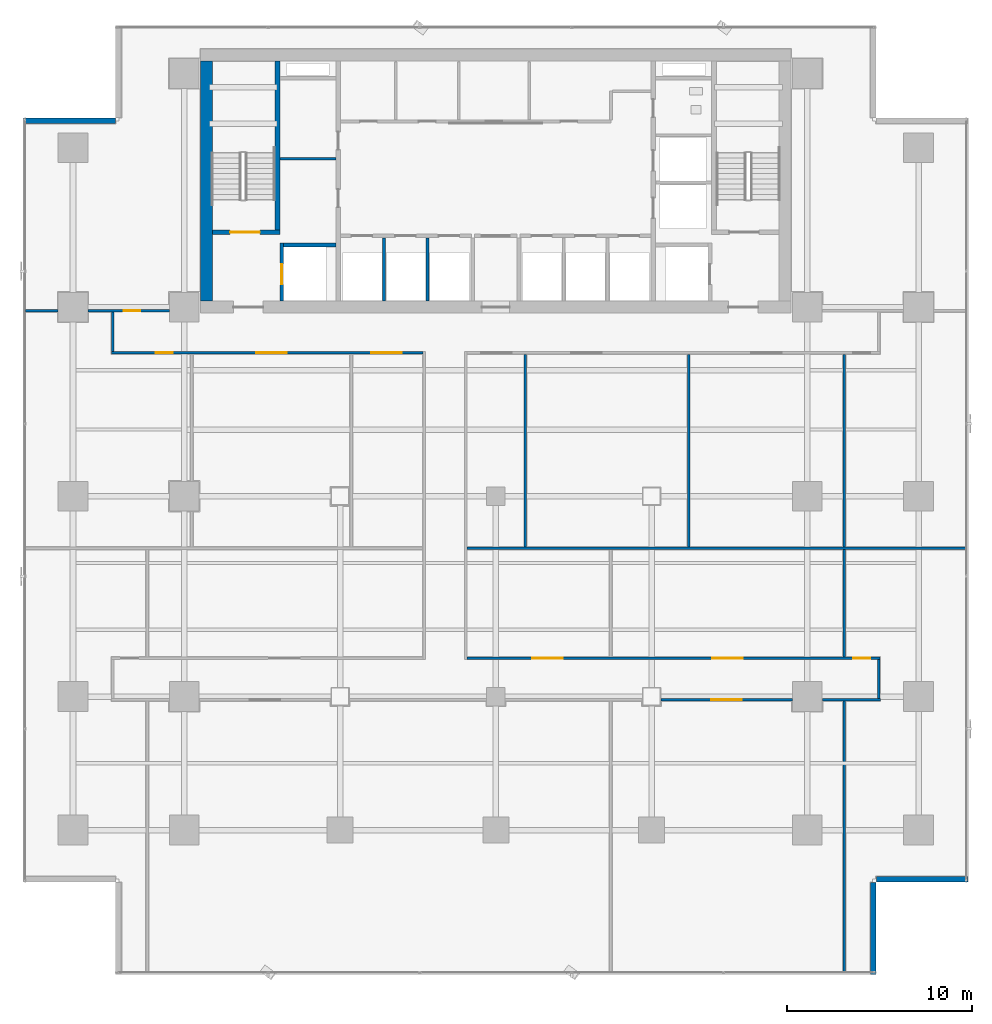
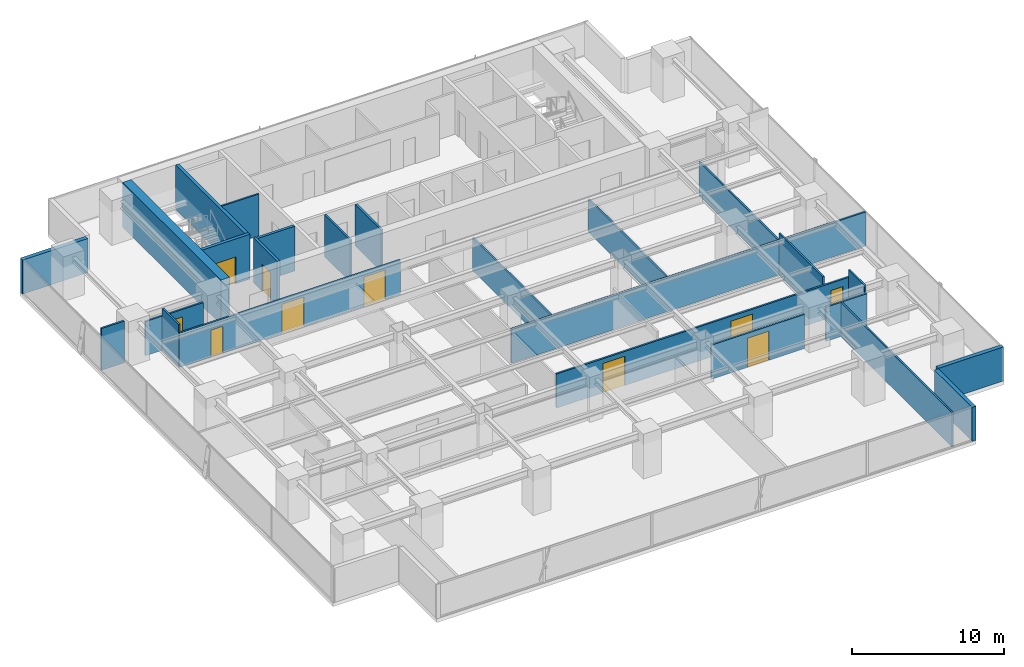
# One storey, part 28 of 36: 25 walls, 10 doors, 10 openings.
"""IFC4 building model written with IfcOpenShell, lengths in metres."""

from ifc_helpers import new_model, si_unit, direction, frame, frame_2d, origin, place, context, subcontext, project, spatial, rectangle, extrude, source, transform, mapped, material, layer, layer_set, type_object, element, fill, save


model = new_model("IFC4")

# Units and contexts
model_context = context("Model", 3, precision=1e-05, world=origin(), true_north=direction((0.0, 1.0)))
body_context = subcontext(model_context, "Body", "Model", "MODEL_VIEW")
ifc_project = project(units=[si_unit("LENGTHUNIT", "METRE"), si_unit("AREAUNIT", "SQUARE_METRE"), si_unit("VOLUMEUNIT", "CUBIC_METRE"), si_unit("PLANEANGLEUNIT", "RADIAN"), si_unit("MASSUNIT", "GRAM", prefix="KILO")], contexts=[model_context])

# Site, building, storey
site_placement = place(None, origin())
site = spatial("IfcSite", under=ifc_project, at=site_placement, CompositionType="ELEMENT")
building_placement = place(site_placement, origin())
building = spatial("IfcBuilding", under=site, at=building_placement, Name="Sumidabori Civic Tower", CompositionType="ELEMENT")
storey_placement = place(building_placement, frame((0.0, 0.0, 77.60009765625)))
storey = spatial("IfcBuildingStorey", under=building, at=storey_placement, Name="L19", CompositionType="ELEMENT", Elevation=77.60009765625)

# Walls
ifc_material_1 = material(Name="Concrete C50/60", Category="concrete")
ifc_layer_1 = layer(ifc_material_1, 0.199951171875, Name="Concrete C50/60")
ifc_layer_set_1 = layer_set([ifc_layer_1], Name="Concrete C50/60")
wall_type_1 = type_object("IfcWallType", Name="WL-SHAFT-200", PredefinedType="SHEAR", material=ifc_layer_set_1)
shared_shape_1 = source(origin(), body_context, "Body", "SweptSolid", [
    extrude(rectangle(XDim=2.824951171875, YDim=0.199951171875, at=frame_2d((1.41259765625, 0.0))), origin(), (0.0, 0.0, 1.0), 3.599853515625),
])
wall_1_placement = place(storey_placement, frame((-11.449951171875, 13.550048828125, 0.0), z_axis=(0.0, 0.0, 1.0), x_axis=(1.0, 0.0, 0.0)))
element("IfcWall", 1, at=wall_1_placement, inside=storey, type_object=wall_type_1, Name="Core Shear Wall L19 EL1-N", PredefinedType="SHEAR", context=body_context, shape_type="MappedRepresentation", body=[
    mapped(shared_shape_1, transform((0.0, 0.0, 0.0), x_axis=(1.0, 0.0, 0.0), y_axis=(0.0, 1.0, 0.0), z_axis=(0.0, 0.0, 1.0), scale=1.0)),
])
ifc_material_2 = material(Name="Concrete C60/75", Category="concrete")
ifc_layer_2 = layer(ifc_material_2, 0.64990234375, Name="Concrete C60/75")
ifc_layer_set_2 = layer_set([ifc_layer_2], Name="Concrete C60/75")
wall_type_2 = type_object("IfcWallType", Name="WL-CORE-650", PredefinedType="SHEAR", material=ifc_layer_set_2)
shared_shape_2 = source(origin(), body_context, "Body", "SweptSolid", [
    extrude(rectangle(XDim=12.9501953125, YDim=0.64990234375, at=frame_2d((6.47509765625, 0.0))), origin(), (0.0, 0.0, 1.0), 3.599853515625),
])
wall_2_placement = place(storey_placement, frame((-15.60009765625, 10.52490234375, 0.0), z_axis=(0.0, 0.0, 1.0), x_axis=(0.0, 1.0, 0.0)))
element("IfcWall", 2, at=wall_2_placement, inside=storey, type_object=wall_type_2, Name="Core Shear Wall L19 W", PredefinedType="SHEAR", context=body_context, shape_type="MappedRepresentation", body=[
    mapped(shared_shape_2, transform((0.0, 0.0, 0.0), x_axis=(1.0, 0.0, 0.0), y_axis=(0.0, 1.0, 0.0), z_axis=(0.0, 0.0, 1.0), scale=1.0)),
])

# Wall, opening, door
ifc_layer_3 = layer(ifc_material_1, 0.25, Name="Concrete C50/60")
ifc_layer_set_3 = layer_set([ifc_layer_3], Name="Concrete C50/60")
wall_type_3 = type_object("IfcWallType", Name="WL-SHAFT-250", PredefinedType="SHEAR", material=ifc_layer_set_3)
shared_shape_3 = source(origin(), body_context, "Body", "SweptSolid", [
    extrude(rectangle(XDim=3.6298828125, YDim=0.25, at=frame_2d((1.81494140625, 0.0))), origin(), (0.0, 0.0, 1.0), 3.599853515625),
])
wall_3_placement = place(storey_placement, frame((-15.27490234375, 14.25, 0.0), z_axis=(0.0, 0.0, 1.0), x_axis=(1.0, 0.0, 0.0)))
wall_3 = element("IfcWall", 3, at=wall_3_placement, inside=storey, type_object=wall_type_3, Name="Core Shear Wall L19 ST1-S", PredefinedType="SHEAR", context=body_context, shape_type="MappedRepresentation", body=[
    mapped(shared_shape_3, transform((0.0, 0.0, 0.0), x_axis=(1.0, 0.0, 0.0), y_axis=(0.0, 1.0, 0.0), z_axis=(0.0, 0.0, 1.0), scale=1.0)),
])
opening_1_placement = place(wall_3_placement, frame((0.949951171875, 0.0, 0.0)))
opening_1 = element("IfcOpeningElement", 4, at=opening_1_placement, cuts=wall_3, Name="Opening DR-FD4", PredefinedType="OPENING", context=body_context, shape_type="SweptSolid", body=[
    extrude(rectangle(XDim=1.60009765625, YDim=2.14990234375, at=frame_2d((0.800048828125, 1.074951171875))), frame((0.0, 0.136962890625, 0.0), z_axis=(0.0, -1.0, 0.0), x_axis=(1.0, 0.0, 0.0)), (0.0, 0.0, 1.0), 0.27392578125),
])
ifc_material_3 = material(Name="Steel SN490", Category="steel")
door_type_1 = type_object("IfcDoorType", Name="DR-FD4", OperationType="DOUBLE_DOOR_SINGLE_SWING", PredefinedType="DOOR", material=ifc_material_3)
shared_shape_4 = source(origin(), body_context, "Body", "SweptSolid", [
    extrude(rectangle(XDim=1.60009765625, YDim=2.14990234375, at=frame_2d((0.800048828125, 1.074951171875))), frame((0.0, 0.02490234375, 0.0), z_axis=(0.0, -1.0, 0.0), x_axis=(1.0, 0.0, 0.0)), (0.0, 0.0, 1.0), 0.050048828125),
])
door_1_placement = place(opening_1_placement, origin())
door_1 = element("IfcDoor", 5, at=door_1_placement, inside=storey, type_object=door_type_1, Name="Door DR:L19:ST1", OperationType="DOUBLE_DOOR_SINGLE_SWING", OverallHeight=2.14990234375, OverallWidth=1.60009765625, PredefinedType="DOOR", context=body_context, shape_type="MappedRepresentation", body=[
    mapped(shared_shape_4, transform((0.0, 0.0, 0.0), x_axis=(1.0, 0.0, 0.0), y_axis=(0.0, 1.0, 0.0), z_axis=(0.0, 0.0, 1.0), scale=1.0)),
])
fill(opening_1, door_1)

# Wall
shared_shape_5 = source(origin(), body_context, "Body", "SweptSolid", [
    extrude(rectangle(XDim=9.10009765625, YDim=0.25, at=frame_2d((4.550048828125, 0.0))), origin(), (0.0, 0.0, 1.0), 3.599853515625),
])
wall_4_placement = place(storey_placement, frame((-11.77001953125, 14.375, 0.0), z_axis=(0.0, 0.0, 1.0), x_axis=(0.0, 1.0, 0.0)))
element("IfcWall", 6, at=wall_4_placement, inside=storey, type_object=wall_type_3, Name="Core Shear Wall L19 ST1-E", PredefinedType="SHEAR", context=body_context, shape_type="MappedRepresentation", body=[
    mapped(shared_shape_5, transform((0.0, 0.0, 0.0), x_axis=(1.0, 0.0, 0.0), y_axis=(0.0, 1.0, 0.0), z_axis=(0.0, 0.0, 1.0), scale=1.0)),
])

# Wall, opening, door
shared_shape_6 = source(origin(), body_context, "Body", "SweptSolid", [
    extrude(rectangle(XDim=3.125, YDim=0.199951171875, at=frame_2d((1.5625, 0.0))), origin(), (0.0, 0.0, 1.0), 3.599853515625),
])
wall_5_placement = place(storey_placement, frame((-11.550048828125, 10.52490234375, 0.0), z_axis=(0.0, 0.0, 1.0), x_axis=(0.0, 1.0, 0.0)))
wall_5 = element("IfcWall", 7, at=wall_5_placement, inside=storey, type_object=wall_type_1, Name="Core Shear Wall L19 EL1-W", PredefinedType="SHEAR", context=body_context, shape_type="MappedRepresentation", body=[
    mapped(shared_shape_6, transform((0.0, 0.0, 0.0), x_axis=(1.0, 0.0, 0.0), y_axis=(0.0, 1.0, 0.0), z_axis=(0.0, 0.0, 1.0), scale=1.0)),
])
opening_2_placement = place(wall_5_placement, frame((0.89990234375, 0.0, 0.0)))
opening_2 = element("IfcOpeningElement", 8, at=opening_2_placement, cuts=wall_5, Name="Opening LD-2", PredefinedType="OPENING", context=body_context, shape_type="SweptSolid", body=[
    extrude(rectangle(XDim=1.10009765625, YDim=2.14990234375, at=frame_2d((0.550048828125, 1.074951171875))), frame((0.0, 0.11181640625, 0.0), z_axis=(0.0, -1.0, 0.0), x_axis=(1.0, 0.0, 0.0)), (0.0, 0.0, 1.0), 0.223876953125),
])
ifc_material_4 = material(Name="Stainless Steel Hairline Finish", Category="steel")
door_type_2 = type_object("IfcDoorType", Name="DR-LD2", OperationType="DOUBLE_DOOR_SLIDING", PredefinedType="DOOR", material=ifc_material_4)
shared_shape_7 = source(origin(), body_context, "Body", "SweptSolid", [
    extrude(rectangle(XDim=1.10009765625, YDim=2.14990234375, at=frame_2d((0.550048828125, 1.074951171875))), frame((0.0, 0.02490234375, 0.0), z_axis=(0.0, -1.0, 0.0), x_axis=(1.0, 0.0, 0.0)), (0.0, 0.0, 1.0), 0.050048828125),
])
door_2_placement = place(opening_2_placement, origin())
door_2 = element("IfcDoor", 9, at=door_2_placement, inside=storey, type_object=door_type_2, Name="Door DR:L19:LD-EL1", OperationType="DOUBLE_DOOR_SLIDING", OverallHeight=2.14990234375, OverallWidth=1.10009765625, PredefinedType="DOOR", context=body_context, shape_type="MappedRepresentation", body=[
    mapped(shared_shape_7, transform((0.0, 0.0, 0.0), x_axis=(1.0, 0.0, 0.0), y_axis=(0.0, 1.0, 0.0), z_axis=(0.0, 0.0, 1.0), scale=1.0)),
])
fill(opening_2, door_2)

# Walls
ifc_material_5 = material(Name="Precast concrete C40/50", Category="concrete")
ifc_layer_4 = layer(ifc_material_5, 0.300048828125, Name="Precast concrete C40/50")
ifc_layer_set_4 = layer_set([ifc_layer_4], Name="Precast concrete C40/50")
wall_type_4 = type_object("IfcWallType", Name="WL-EXT-POD300", PredefinedType="STANDARD", material=ifc_layer_set_4)
shared_shape_8 = source(origin(), body_context, "Body", "SweptSolid", [
    extrude(rectangle(XDim=4.9599609375, YDim=0.300048828125, at=frame_2d((2.47998046875, 0.0))), origin(), (0.0, 0.0, 1.0), 2.739990234375),
])
for number, where, z_axis, x_axis, name in (
    (10, (20.35009765625, -25.780029296875, 0.0), (0.0, 0.0, 1.0), (0.0, 1.0, 0.0), "Notched Corner Spandrel Band L19-02"),
    (11, (20.52001953125, -20.64990234375, 0.0), (0.0, 0.0, 1.0), (1.0, 0.0, 0.0), "Notched Corner Spandrel Band L19-03"),
    (12, (-20.52001953125, 20.25, 0.0), (0.0, 0.0, 1.0), (-1.0, 0.0, 0.0), "Notched Corner Spandrel Band L19-09"),
):
    element("IfcWall", number, at=place(storey_placement, frame(where, z_axis=z_axis, x_axis=x_axis)), inside=storey, type_object=wall_type_4, Name=name, PredefinedType="STANDARD", context=body_context, shape_type="MappedRepresentation", body=[
        mapped(shared_shape_8, transform((0.0, 0.0, 0.0), x_axis=(1.0, 0.0, 0.0), y_axis=(0.0, 1.0, 0.0), z_axis=(0.0, 0.0, 1.0), scale=1.0)),
    ])
ifc_material_6 = material(Name="Gypsum Plasterboard Acoustic Partition")
ifc_layer_5 = layer(ifc_material_6, 0.1201171875, Name="Gypsum Plasterboard Acoustic Partition")
ifc_layer_set_5 = layer_set([ifc_layer_5], Name="Gypsum Plasterboard Acoustic Partition")
wall_type_5 = type_object("IfcWallType", Name="WL-PART-120", PredefinedType="PARTITIONING", material=ifc_layer_set_5)
shared_shape_9 = source(origin(), body_context, "Body", "SweptSolid", [
    extrude(rectangle(XDim=3.010009765625, YDim=0.1201171875, at=frame_2d((1.5048828125, 0.0))), origin(), (0.0, 0.0, 1.0), 3.35986328125),
])
wall_6_placement = place(storey_placement, frame((-11.639892578125, 18.199951171875, 0.0), z_axis=(0.0, 0.0, 1.0), x_axis=(1.0, 0.0, 0.0)))
element("IfcWall", 13, at=wall_6_placement, inside=storey, type_object=wall_type_5, Name="Interior Partition WL:L19:CW-MID", PredefinedType="PARTITIONING", context=body_context, shape_type="MappedRepresentation", body=[
    mapped(shared_shape_9, transform((0.0, 0.0, 0.0), x_axis=(1.0, 0.0, 0.0), y_axis=(0.0, 1.0, 0.0), z_axis=(0.0, 0.0, 1.0), scale=1.0)),
])
ifc_layer_6 = layer(ifc_material_6, 0.14990234375, Name="Gypsum Plasterboard Acoustic Partition")
ifc_layer_set_6 = layer_set([ifc_layer_6], Name="Gypsum Plasterboard Acoustic Partition")
wall_type_6 = type_object("IfcWallType", Name="WL-PART-150", PredefinedType="PARTITIONING", material=ifc_layer_set_6)
shared_shape_10 = source(origin(), body_context, "Body", "SweptSolid", [
    extrude(rectangle(XDim=3.4150390625, YDim=0.14990234375, at=frame_2d((1.70751953125, 0.0))), origin(), (0.0, 0.0, 1.0), 3.35986328125),
])
for number, where, z_axis, x_axis, name in (
    (14, (-6.030029296875, 10.52490234375, 0.0), (0.0, 0.0, 1.0), (0.0, 1.0, 0.0), "Interior Partition WL:L19:DIV-PLL1"),
    (15, (-3.679931640625, 10.52490234375, 0.0), (0.0, 0.0, 1.0), (0.0, 1.0, 0.0), "Interior Partition WL:L19:DIV-PLL2"),
):
    element("IfcWall", number, at=place(storey_placement, frame(where, z_axis=z_axis, x_axis=x_axis)), inside=storey, type_object=wall_type_6, Name=name, PredefinedType="PARTITIONING", context=body_context, shape_type="MappedRepresentation", body=[
        mapped(shared_shape_10, transform((0.0, 0.0, 0.0), x_axis=(1.0, 0.0, 0.0), y_axis=(0.0, 1.0, 0.0), z_axis=(0.0, 0.0, 1.0), scale=1.0)),
    ])
ifc_layer_7 = layer(ifc_material_6, 0.135009765625, Name="Gypsum Plasterboard Acoustic Partition")
ifc_layer_set_7 = layer_set([ifc_layer_7], Name="Gypsum Plasterboard Acoustic Partition")
wall_type_7 = type_object("IfcWallType", Name="WL-PART-135", PredefinedType="PARTITIONING", material=ifc_layer_set_7)
shared_shape_11 = source(origin(), body_context, "Body", "SweptSolid", [
    extrude(rectangle(XDim=1.739990234375, YDim=0.135009765625, at=frame_2d((0.8701171875, 0.0))), origin(), (0.0, 0.0, 1.0), 3.35986328125),
])
wall_7_placement = place(storey_placement, frame((-25.35009765625, 10.0, 0.0), z_axis=(0.0, 0.0, 1.0), x_axis=(1.0, 0.0, 0.0)))
element("IfcWall", 16, at=wall_7_placement, inside=storey, type_object=wall_type_7, Name="Interior Partition WL:L19:FLK-NW-1", PredefinedType="PARTITIONING", context=body_context, shape_type="MappedRepresentation", body=[
    mapped(shared_shape_11, transform((0.0, 0.0, 0.0), x_axis=(1.0, 0.0, 0.0), y_axis=(0.0, 1.0, 0.0), z_axis=(0.0, 0.0, 1.0), scale=1.0)),
])

# Wall, opening, door
shared_shape_12 = source(origin(), body_context, "Body", "SweptSolid", [
    extrude(rectangle(XDim=4.3798828125, YDim=0.135009765625, at=frame_2d((2.18994140625, 0.0))), origin(), (0.0, 0.0, 1.0), 2.744873046875),
])
wall_8_placement = place(storey_placement, frame((-21.989990234375, 10.0, 0.0), z_axis=(0.0, 0.0, 1.0), x_axis=(1.0, 0.0, 0.0)))
wall_8 = element("IfcWall", 17, at=wall_8_placement, inside=storey, type_object=wall_type_7, Name="Interior Partition WL:L19:FLK-NW-2", PredefinedType="PARTITIONING", context=body_context, shape_type="MappedRepresentation", body=[
    mapped(shared_shape_12, transform((0.0, 0.0, 0.0), x_axis=(1.0, 0.0, 0.0), y_axis=(0.0, 1.0, 0.0), z_axis=(0.0, 0.0, 1.0), scale=1.0)),
])
opening_3_placement = place(wall_8_placement, frame((1.9150390625, 0.0, 0.0)))
opening_3 = element("IfcOpeningElement", 18, at=opening_3_placement, cuts=wall_8, Name="Opening DR-1", PredefinedType="OPENING", context=body_context, shape_type="SweptSolid", body=[
    extrude(rectangle(XDim=0.89990234375, YDim=2.14990234375, at=frame_2d((0.449951171875, 1.074951171875))), frame((0.0, 0.07958984375, 0.0), z_axis=(0.0, -1.0, 0.0), x_axis=(1.0, 0.0, 0.0)), (0.0, 0.0, 1.0), 0.158935546875),
])
ifc_material_7 = material(Name="Japanese Hinoki Timber", Category="wood")
door_type_3 = type_object("IfcDoorType", Name="DR-INT-900", OperationType="NOTDEFINED", PredefinedType="DOOR", material=ifc_material_7)
shared_shape_13 = source(origin(), body_context, "Body", "SweptSolid", [
    extrude(rectangle(XDim=0.89990234375, YDim=2.14990234375, at=frame_2d((0.449951171875, 1.074951171875))), frame((0.0, 0.02490234375, 0.0), z_axis=(0.0, -1.0, 0.0), x_axis=(1.0, 0.0, 0.0)), (0.0, 0.0, 1.0), 0.050048828125),
])
door_3_placement = place(opening_3_placement, origin())
door_3 = element("IfcDoor", 19, at=door_3_placement, inside=storey, type_object=door_type_3, Name="Door DR:L19:FLK-NE", OperationType="SINGLE_SWING_LEFT", OverallHeight=2.14990234375, OverallWidth=0.89990234375, PredefinedType="DOOR", context=body_context, shape_type="MappedRepresentation", body=[
    mapped(shared_shape_13, transform((0.0, 0.0, 0.0), x_axis=(1.0, 0.0, 0.0), y_axis=(0.0, 1.0, 0.0), z_axis=(0.0, 0.0, 1.0), scale=1.0)),
])
fill(opening_3, door_3)

# Wall, openings, doors
shared_shape_14 = source(origin(), body_context, "Body", "SweptSolid", [
    extrude(rectangle(XDim=16.800048828125, YDim=0.135009765625, at=frame_2d((8.39990234375, 0.0))), origin(), (0.0, 0.0, 1.0), 2.744873046875),
])
wall_9_placement = place(storey_placement, frame((-20.735107421875, 7.732421875, 0.0), z_axis=(0.0, 0.0, 1.0), x_axis=(1.0, 0.0, 0.0)))
wall_9 = element("IfcWall", 20, at=wall_9_placement, inside=storey, type_object=wall_type_7, Name="Interior Partition WL:L19:CORR-SW", PredefinedType="PARTITIONING", context=body_context, shape_type="MappedRepresentation", body=[
    mapped(shared_shape_14, transform((0.0, 0.0, 0.0), x_axis=(1.0, 0.0, 0.0), y_axis=(0.0, 1.0, 0.0), z_axis=(0.0, 0.0, 1.0), scale=1.0)),
])
opening_4_placement = place(wall_9_placement, frame((2.40380859375, 0.0, 0.0)))
opening_4 = element("IfcOpeningElement", 21, at=opening_4_placement, cuts=wall_9, Name="Opening DR-1", PredefinedType="OPENING", context=body_context, shape_type="SweptSolid", body=[
    extrude(rectangle(XDim=0.89990234375, YDim=2.14990234375, at=frame_2d((0.449951171875, 1.074951171875))), frame((0.0, 0.07958984375, 0.0), z_axis=(0.0, -1.0, 0.0), x_axis=(1.0, 0.0, 0.0)), (0.0, 0.0, 1.0), 0.158935546875),
])
opening_5_placement = place(wall_9_placement, frame((7.81005859375, 0.0, 0.0)))
opening_5 = element("IfcOpeningElement", 22, at=opening_5_placement, cuts=wall_9, Name="Opening DR-6", PredefinedType="OPENING", context=body_context, shape_type="SweptSolid", body=[
    extrude(rectangle(XDim=1.64990234375, YDim=2.35009765625, at=frame_2d((0.824951171875, 1.175048828125))), frame((0.0, 0.07958984375, 0.0), z_axis=(0.0, -1.0, 0.0), x_axis=(1.0, 0.0, 0.0)), (0.0, 0.0, 1.0), 0.158935546875),
])
opening_6_placement = place(wall_9_placement, frame((14.01611328125, 0.0, 0.0)))
opening_6 = element("IfcOpeningElement", 23, at=opening_6_placement, cuts=wall_9, Name="Opening DR-6", PredefinedType="OPENING", context=body_context, shape_type="SweptSolid", body=[
    extrude(rectangle(XDim=1.64990234375, YDim=2.35009765625, at=frame_2d((0.824951171875, 1.175048828125))), frame((0.0, 0.07958984375, 0.0), z_axis=(0.0, -1.0, 0.0), x_axis=(1.0, 0.0, 0.0)), (0.0, 0.0, 1.0), 0.158935546875),
])
door_4_placement = place(opening_4_placement, origin())
door_4 = element("IfcDoor", 24, at=door_4_placement, inside=storey, type_object=door_type_3, Name="Door DR:L19:D03", OperationType="SINGLE_SWING_LEFT", OverallHeight=2.14990234375, OverallWidth=0.89990234375, PredefinedType="DOOR", context=body_context, shape_type="MappedRepresentation", body=[
    mapped(shared_shape_13, transform((0.0, 0.0, 0.0), x_axis=(1.0, 0.0, 0.0), y_axis=(0.0, 1.0, 0.0), z_axis=(0.0, 0.0, 1.0), scale=1.0)),
])
fill(opening_4, door_4)
ifc_material_8 = material(Name="Anodised Bronze Aluminium AW-6063-T6", Category="aluminium")
door_type_4 = type_object("IfcDoorType", Name="DR-DBL-1650", OperationType="DOUBLE_DOOR_SINGLE_SWING", PredefinedType="DOOR", material=ifc_material_8)
shared_shape_15 = source(origin(), body_context, "Body", "SweptSolid", [
    extrude(rectangle(XDim=1.64990234375, YDim=2.35009765625, at=frame_2d((0.824951171875, 1.175048828125))), frame((0.0, 0.02490234375, 0.0), z_axis=(0.0, -1.0, 0.0), x_axis=(1.0, 0.0, 0.0)), (0.0, 0.0, 1.0), 0.050048828125),
])
door_5_placement = place(opening_5_placement, origin())
door_5 = element("IfcDoor", 25, at=door_5_placement, inside=storey, type_object=door_type_4, Name="Door DR:L19:D06", OperationType="DOUBLE_DOOR_SINGLE_SWING", OverallHeight=2.35009765625, OverallWidth=1.64990234375, PredefinedType="DOOR", context=body_context, shape_type="MappedRepresentation", body=[
    mapped(shared_shape_15, transform((0.0, 0.0, 0.0), x_axis=(1.0, 0.0, 0.0), y_axis=(0.0, 1.0, 0.0), z_axis=(0.0, 0.0, 1.0), scale=1.0)),
])
fill(opening_5, door_5)
door_6_placement = place(opening_6_placement, origin())
door_6 = element("IfcDoor", 26, at=door_6_placement, inside=storey, type_object=door_type_4, Name="Door DR:L19:D07", OperationType="DOUBLE_DOOR_SINGLE_SWING", OverallHeight=2.35009765625, OverallWidth=1.64990234375, PredefinedType="DOOR", context=body_context, shape_type="MappedRepresentation", body=[
    mapped(shared_shape_15, transform((0.0, 0.0, 0.0), x_axis=(1.0, 0.0, 0.0), y_axis=(0.0, 1.0, 0.0), z_axis=(0.0, 0.0, 1.0), scale=1.0)),
])
fill(opening_6, door_6)

shared_shape_16 = source(origin(), body_context, "Body", "SweptSolid", [
    extrude(rectangle(XDim=22.300048828125, YDim=0.135009765625, at=frame_2d((11.14990234375, 0.0))), origin(), (0.0, 0.0, 1.0), 2.744873046875),
])
wall_10_placement = place(storey_placement, frame((-1.56494140625, -8.732421875, 0.0), z_axis=(0.0, 0.0, 1.0), x_axis=(1.0, 0.0, 0.0)))
wall_10 = element("IfcWall", 27, at=wall_10_placement, inside=storey, type_object=wall_type_7, Name="Interior Partition WL:L19:CORR-MNE", PredefinedType="PARTITIONING", context=body_context, shape_type="MappedRepresentation", body=[
    mapped(shared_shape_16, transform((0.0, 0.0, 0.0), x_axis=(1.0, 0.0, 0.0), y_axis=(0.0, 1.0, 0.0), z_axis=(0.0, 0.0, 1.0), scale=1.0)),
])
opening_7_placement = place(wall_10_placement, frame((3.523681640625, 0.0, 0.0)))
opening_7 = element("IfcOpeningElement", 28, at=opening_7_placement, cuts=wall_10, Name="Opening DR-6", PredefinedType="OPENING", context=body_context, shape_type="SweptSolid", body=[
    extrude(rectangle(XDim=1.64990234375, YDim=2.35009765625, at=frame_2d((0.824951171875, 1.175048828125))), frame((0.0, 0.07958984375, 0.0), z_axis=(0.0, -1.0, 0.0), x_axis=(1.0, 0.0, 0.0)), (0.0, 0.0, 1.0), 0.158935546875),
])
opening_8_placement = place(wall_10_placement, frame((13.239990234375, 0.0, 0.0)))
opening_8 = element("IfcOpeningElement", 29, at=opening_8_placement, cuts=wall_10, Name="Opening DR-6", PredefinedType="OPENING", context=body_context, shape_type="SweptSolid", body=[
    extrude(rectangle(XDim=1.64990234375, YDim=2.35009765625, at=frame_2d((0.824951171875, 1.175048828125))), frame((0.0, 0.07958984375, 0.0), z_axis=(0.0, -1.0, 0.0), x_axis=(1.0, 0.0, 0.0)), (0.0, 0.0, 1.0), 0.158935546875),
])
opening_9_placement = place(wall_10_placement, frame((20.856201171875, 0.0, 0.0)))
opening_9 = element("IfcOpeningElement", 30, at=opening_9_placement, cuts=wall_10, Name="Opening DR-1", PredefinedType="OPENING", context=body_context, shape_type="SweptSolid", body=[
    extrude(rectangle(XDim=0.89990234375, YDim=2.14990234375, at=frame_2d((0.449951171875, 1.074951171875))), frame((0.0, 0.07958984375, 0.0), z_axis=(0.0, -1.0, 0.0), x_axis=(1.0, 0.0, 0.0)), (0.0, 0.0, 1.0), 0.158935546875),
])
door_7_placement = place(opening_9_placement, origin())
door_7 = element("IfcDoor", 31, at=door_7_placement, inside=storey, type_object=door_type_3, Name="Door DR:L19:D13", OperationType="SINGLE_SWING_LEFT", OverallHeight=2.14990234375, OverallWidth=0.89990234375, PredefinedType="DOOR", context=body_context, shape_type="MappedRepresentation", body=[
    mapped(shared_shape_13, transform((0.0, 0.0, 0.0), x_axis=(1.0, 0.0, 0.0), y_axis=(0.0, 1.0, 0.0), z_axis=(0.0, 0.0, 1.0), scale=1.0)),
])
fill(opening_9, door_7)
door_8_placement = place(opening_7_placement, origin())
door_8 = element("IfcDoor", 32, at=door_8_placement, inside=storey, type_object=door_type_4, Name="Door DR:L19:D10", OperationType="DOUBLE_DOOR_SINGLE_SWING", OverallHeight=2.35009765625, OverallWidth=1.64990234375, PredefinedType="DOOR", context=body_context, shape_type="MappedRepresentation", body=[
    mapped(shared_shape_15, transform((0.0, 0.0, 0.0), x_axis=(1.0, 0.0, 0.0), y_axis=(0.0, 1.0, 0.0), z_axis=(0.0, 0.0, 1.0), scale=1.0)),
])
fill(opening_7, door_8)
door_9_placement = place(opening_8_placement, origin())
door_9 = element("IfcDoor", 33, at=door_9_placement, inside=storey, type_object=door_type_4, Name="Door DR:L19:D11", OperationType="DOUBLE_DOOR_SINGLE_SWING", OverallHeight=2.35009765625, OverallWidth=1.64990234375, PredefinedType="DOOR", context=body_context, shape_type="MappedRepresentation", body=[
    mapped(shared_shape_15, transform((0.0, 0.0, 0.0), x_axis=(1.0, 0.0, 0.0), y_axis=(0.0, 1.0, 0.0), z_axis=(0.0, 0.0, 1.0), scale=1.0)),
])
fill(opening_8, door_9)

# Wall
shared_shape_17 = source(origin(), body_context, "Body", "SweptSolid", [
    extrude(rectangle(XDim=3.125, YDim=0.135009765625, at=frame_2d((1.5625, 0.0))), origin(), (0.0, 0.0, 1.0), 2.744873046875),
])
wall_11_placement = place(storey_placement, frame((17.610107421875, -10.967529296875, 0.0), z_axis=(0.0, 0.0, 1.0), x_axis=(1.0, 0.0, 0.0)))
element("IfcWall", 34, at=wall_11_placement, inside=storey, type_object=wall_type_7, Name="Interior Partition WL:L19:CORR-SS-6", PredefinedType="PARTITIONING", context=body_context, shape_type="MappedRepresentation", body=[
    mapped(shared_shape_17, transform((0.0, 0.0, 0.0), x_axis=(1.0, 0.0, 0.0), y_axis=(0.0, 1.0, 0.0), z_axis=(0.0, 0.0, 1.0), scale=1.0)),
])

# Wall, opening, door
shared_shape_18 = source(origin(), body_context, "Body", "SweptSolid", [
    extrude(rectangle(XDim=7.080078125, YDim=0.135009765625, at=frame_2d((3.5400390625, 0.0))), origin(), (0.0, 0.0, 1.0), 2.744873046875),
])
wall_12_placement = place(storey_placement, frame((8.909912109375, -10.967529296875, 0.0), z_axis=(0.0, 0.0, 1.0), x_axis=(1.0, 0.0, 0.0)))
wall_12 = element("IfcWall", 35, at=wall_12_placement, inside=storey, type_object=wall_type_7, Name="Interior Partition WL:L19:CORR-SS-5", PredefinedType="PARTITIONING", context=body_context, shape_type="MappedRepresentation", body=[
    mapped(shared_shape_18, transform((0.0, 0.0, 0.0), x_axis=(1.0, 0.0, 0.0), y_axis=(0.0, 1.0, 0.0), z_axis=(0.0, 0.0, 1.0), scale=1.0)),
])
opening_10_placement = place(wall_12_placement, frame((2.715087890625, 0.0, 0.0)))
opening_10 = element("IfcOpeningElement", 36, at=opening_10_placement, cuts=wall_12, Name="Opening DR-6", PredefinedType="OPENING", context=body_context, shape_type="SweptSolid", body=[
    extrude(rectangle(XDim=1.64990234375, YDim=2.35009765625, at=frame_2d((0.824951171875, 1.175048828125))), frame((0.0, 0.07958984375, 0.0), z_axis=(0.0, -1.0, 0.0), x_axis=(1.0, 0.0, 0.0)), (0.0, 0.0, 1.0), 0.158935546875),
])
door_10_placement = place(opening_10_placement, origin())
door_10 = element("IfcDoor", 37, at=door_10_placement, inside=storey, type_object=door_type_4, Name="Door DR:L19:D15", OperationType="DOUBLE_DOOR_SINGLE_SWING", OverallHeight=2.35009765625, OverallWidth=1.64990234375, PredefinedType="DOOR", context=body_context, shape_type="MappedRepresentation", body=[
    mapped(shared_shape_15, transform((0.0, 0.0, 0.0), x_axis=(1.0, 0.0, 0.0), y_axis=(0.0, 1.0, 0.0), z_axis=(0.0, 0.0, 1.0), scale=1.0)),
])
fill(opening_10, door_10)

# Walls
shared_shape_19 = source(origin(), body_context, "Body", "SweptSolid", [
    extrude(rectangle(XDim=2.12255859375, YDim=0.135009765625, at=frame_2d((1.061279296875, 0.0))), origin(), (0.0, 0.0, 1.0), 3.35986328125),
])
wall_13_placement = place(storey_placement, frame((-20.66748046875, 7.804931640625, 0.0), z_axis=(0.0, 0.0, 1.0), x_axis=(0.0, 1.0, 0.0)))
element("IfcWall", 38, at=wall_13_placement, inside=storey, type_object=wall_type_7, Name="Interior Partition WL:L19:CORR-VNW", PredefinedType="PARTITIONING", context=body_context, shape_type="MappedRepresentation", body=[
    mapped(shared_shape_19, transform((0.0, 0.0, 0.0), x_axis=(1.0, 0.0, 0.0), y_axis=(0.0, 1.0, 0.0), z_axis=(0.0, 0.0, 1.0), scale=1.0)),
])
shared_shape_20 = source(origin(), body_context, "Body", "SweptSolid", [
    extrude(rectangle(XDim=2.090087890625, YDim=0.135009765625, at=frame_2d((1.044921875, 0.0))), origin(), (0.0, 0.0, 1.0), 3.35986328125),
])
wall_14_placement = place(storey_placement, frame((20.66748046875, -10.89501953125, 0.0), z_axis=(0.0, 0.0, 1.0), x_axis=(0.0, 1.0, 0.0)))
element("IfcWall", 39, at=wall_14_placement, inside=storey, type_object=wall_type_7, Name="Interior Partition WL:L19:CORR-VSE", PredefinedType="PARTITIONING", context=body_context, shape_type="MappedRepresentation", body=[
    mapped(shared_shape_20, transform((0.0, 0.0, 0.0), x_axis=(1.0, 0.0, 0.0), y_axis=(0.0, 1.0, 0.0), z_axis=(0.0, 0.0, 1.0), scale=1.0)),
])
shared_shape_21 = source(origin(), body_context, "Body", "SweptSolid", [
    extrude(rectangle(XDim=26.91015625, YDim=0.135009765625, at=frame_2d((13.455078125, 0.0))), origin(), (0.0, 0.0, 1.0), 2.744873046875),
])
wall_15_placement = place(storey_placement, frame((-1.56005859375, -2.800048828125, 0.0), z_axis=(0.0, 0.0, 1.0), x_axis=(1.0, 0.0, 0.0)))
element("IfcWall", 40, at=wall_15_placement, inside=storey, type_object=wall_type_7, Name="Interior Partition WL:L19:BAND-Y-2", PredefinedType="PARTITIONING", context=body_context, shape_type="MappedRepresentation", body=[
    mapped(shared_shape_21, transform((0.0, 0.0, 0.0), x_axis=(1.0, 0.0, 0.0), y_axis=(0.0, 1.0, 0.0), z_axis=(0.0, 0.0, 1.0), scale=1.0)),
])
shared_shape_22 = source(origin(), body_context, "Body", "SweptSolid", [
    extrude(rectangle(XDim=10.387451171875, YDim=0.135009765625, at=frame_2d((5.19384765625, 0.0))), origin(), (0.0, 0.0, 1.0), 2.64501953125),
])
for number, where, z_axis, x_axis, name in (
    (41, (1.60009765625, -2.7275390625, 0.0), (0.0, 0.0, 1.0), (0.0, 1.0, 0.0), "Interior Partition WL:L19:VX-N3"),
    (42, (10.39990234375, -2.7275390625, 0.0), (0.0, 0.0, 1.0), (0.0, 1.0, 0.0), "Interior Partition WL:L19:VX-N4"),
):
    element("IfcWall", number, at=place(storey_placement, frame(where, z_axis=z_axis, x_axis=x_axis)), inside=storey, type_object=wall_type_7, Name=name, PredefinedType="PARTITIONING", context=body_context, shape_type="MappedRepresentation", body=[
        mapped(shared_shape_22, transform((0.0, 0.0, 0.0), x_axis=(1.0, 0.0, 0.0), y_axis=(0.0, 1.0, 0.0), z_axis=(0.0, 0.0, 1.0), scale=1.0)),
    ])
shared_shape_23 = source(origin(), body_context, "Body", "SweptSolid", [
    extrude(rectangle(XDim=10.387451171875, YDim=0.135009765625, at=frame_2d((5.19384765625, 0.0))), origin(), (0.0, 0.0, 1.0), 2.744873046875),
])
wall_16_placement = place(storey_placement, frame((18.800048828125, -2.7275390625, 0.0), z_axis=(0.0, 0.0, 1.0), x_axis=(0.0, 1.0, 0.0)))
element("IfcWall", 43, at=wall_16_placement, inside=storey, type_object=wall_type_7, Name="Interior Partition WL:L19:VX-N5", PredefinedType="PARTITIONING", context=body_context, shape_type="MappedRepresentation", body=[
    mapped(shared_shape_23, transform((0.0, 0.0, 0.0), x_axis=(1.0, 0.0, 0.0), y_axis=(0.0, 1.0, 0.0), z_axis=(0.0, 0.0, 1.0), scale=1.0)),
])
shared_shape_24 = source(origin(), body_context, "Body", "SweptSolid", [
    extrude(rectangle(XDim=14.60986328125, YDim=0.135009765625, at=frame_2d((7.304931640625, 0.0))), origin(), (0.0, 0.0, 1.0), 2.744873046875),
])
wall_17_placement = place(storey_placement, frame((18.800048828125, -25.64990234375, 0.0), z_axis=(0.0, 0.0, 1.0), x_axis=(0.0, 1.0, 0.0)))
element("IfcWall", 44, at=wall_17_placement, inside=storey, type_object=wall_type_7, Name="Interior Partition WL:L19:VX-S3-1", PredefinedType="PARTITIONING", context=body_context, shape_type="MappedRepresentation", body=[
    mapped(shared_shape_24, transform((0.0, 0.0, 0.0), x_axis=(1.0, 0.0, 0.0), y_axis=(0.0, 1.0, 0.0), z_axis=(0.0, 0.0, 1.0), scale=1.0)),
])
shared_shape_25 = source(origin(), body_context, "Body", "SweptSolid", [
    extrude(rectangle(XDim=5.787353515625, YDim=0.135009765625, at=frame_2d((2.8935546875, 0.0))), origin(), (0.0, 0.0, 1.0), 3.35986328125),
])
wall_18_placement = place(storey_placement, frame((18.800048828125, -8.659912109375, 0.0), z_axis=(0.0, 0.0, 1.0), x_axis=(0.0, 1.0, 0.0)))
element("IfcWall", 45, at=wall_18_placement, inside=storey, type_object=wall_type_7, Name="Interior Partition WL:L19:VX-S3-2", PredefinedType="PARTITIONING", context=body_context, shape_type="MappedRepresentation", body=[
    mapped(shared_shape_25, transform((0.0, 0.0, 0.0), x_axis=(1.0, 0.0, 0.0), y_axis=(0.0, 1.0, 0.0), z_axis=(0.0, 0.0, 1.0), scale=1.0)),
])

save(model, "model.ifc")
